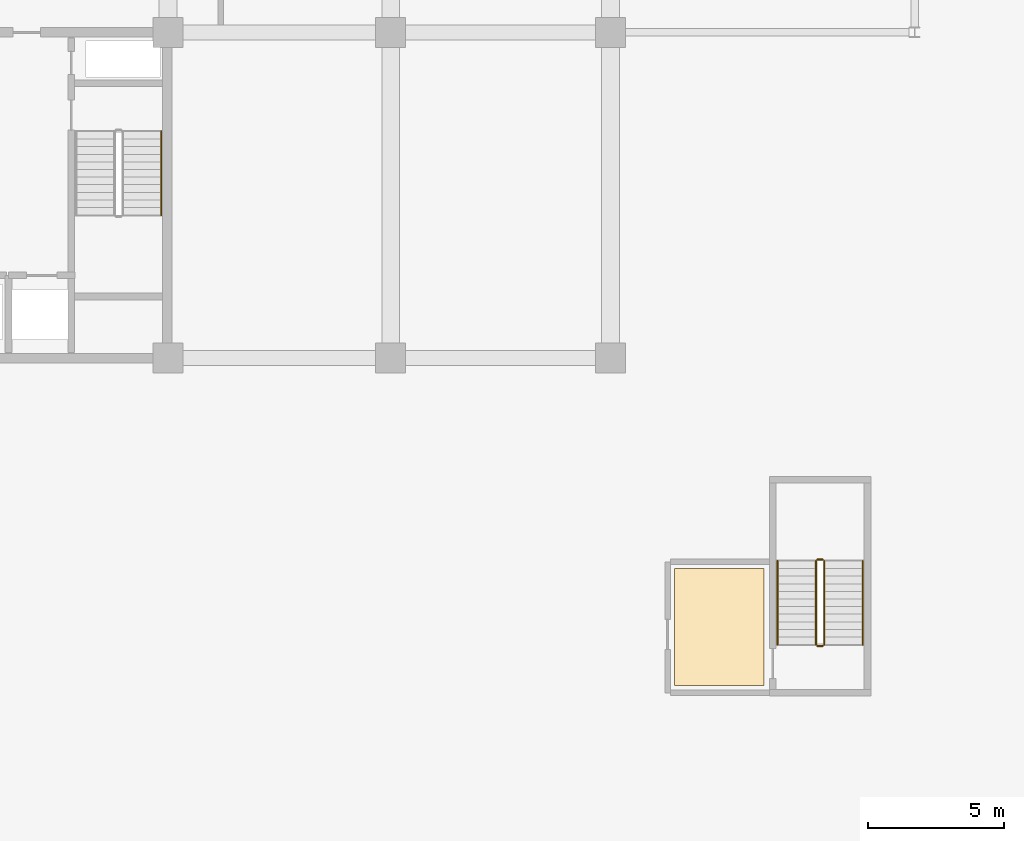
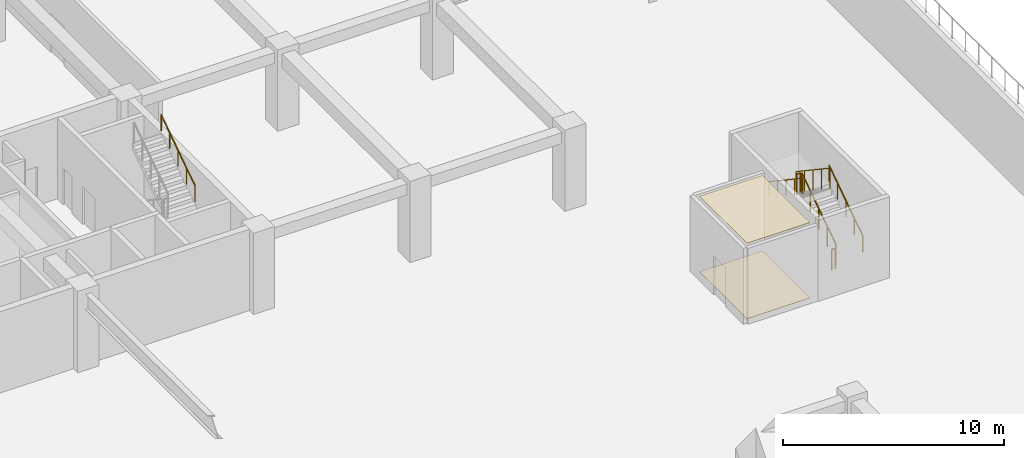
# One storey, part 40 of 43: 7 railings, 2 coverings.
"""IFC4 building model written with IfcOpenShell, lengths in metres."""

from ifc_helpers import new_model, si_unit, direction, frame, origin, origin_2d, place, context, subcontext, project, spatial, polyline, circle, outline, extrude, material, layer, layer_set, type_object, element, save


model = new_model("IFC4")

# Units and contexts
model_context = context("Model", 3, precision=1e-05, world=origin(), true_north=direction((0.0, 1.0)))
body_context = subcontext(model_context, "Body", "Model", "MODEL_VIEW")
ifc_project = project(units=[si_unit("LENGTHUNIT", "METRE"), si_unit("AREAUNIT", "SQUARE_METRE"), si_unit("VOLUMEUNIT", "CUBIC_METRE"), si_unit("PLANEANGLEUNIT", "RADIAN"), si_unit("MASSUNIT", "GRAM", prefix="KILO")], contexts=[model_context])

# Site, building, storey
site_placement = place(None, origin())
site = spatial("IfcSite", under=ifc_project, at=site_placement, CompositionType="ELEMENT")
building_placement = place(site_placement, origin())
building = spatial("IfcBuilding", under=site, at=building_placement, Name="Korimba Cascade Residences", CompositionType="ELEMENT")
storey_placement = place(building_placement, frame((0.0, 0.0, 10.0)))
storey = spatial("IfcBuildingStorey", under=building, at=storey_placement, Name="L02", CompositionType="ELEMENT", Elevation=10.0)

# Coverings
ifc_material_1 = material(Name="Perforated Acoustic Gypsum Ceiling", Category="gypsum")
ifc_layer_1 = layer(ifc_material_1, 0.02490234375)
ifc_layer_set_1 = layer_set([ifc_layer_1], Name="Perforated Acoustic Gypsum Ceiling")
covering_type_1 = type_object("IfcCoveringType", Name="COV-CLG-AC", PredefinedType="CEILING", material=ifc_layer_set_1)
covering_1_placement = place(storey_placement, frame((0.0, 0.0, 4.175048828125)))
element("IfcCovering", 1, at=covering_1_placement, inside=storey, type_object=covering_type_1, Name="L02 Suspended Acoustic Ceiling L02-PLE", PredefinedType="CEILING", context=body_context, shape_type="SweptSolid", body=[
    extrude(outline(polyline([(130.75, 43.14990234375), (134.050048828125, 43.14990234375), (134.050048828125, 47.449951171875), (130.75, 47.449951171875), (130.75, 43.14990234375)])), origin(), (0.0, 0.0, 1.0), 0.02490234375),
])
ifc_material_2 = material(Name="Honed Travertine Stone Flooring", Category="masonry")
ifc_layer_2 = layer(ifc_material_2, 0.02490234375)
ifc_layer_set_2 = layer_set([ifc_layer_2], Name="Honed Travertine Stone Flooring")
covering_type_2 = type_object("IfcCoveringType", Name="COV-FLR-STN", PredefinedType="FLOORING", material=ifc_layer_set_2)
covering_2_placement = place(storey_placement, origin())
element("IfcCovering", 2, at=covering_2_placement, inside=storey, type_object=covering_type_2, Name="L02 Honed Travertine Stone Flooring L02-PLE", PredefinedType="FLOORING", context=body_context, shape_type="SweptSolid", body=[
    extrude(outline(polyline([(130.75, 43.14990234375), (134.050048828125, 43.14990234375), (134.050048828125, 47.449951171875), (130.75, 47.449951171875), (130.75, 43.14990234375)])), origin(), (0.0, 0.0, 1.0), 0.02490234375),
])

# Railings
ifc_material_3 = material(Name="Painted Steel Stairwell Guardrail", Category="steel")
railing_type_1 = type_object("IfcRailingType", Name="RLG-ST-GD1150", PredefinedType="GUARDRAIL", material=ifc_material_3)
railing_1_placement = place(storey_placement, frame((136.27001953125, 44.64990234375, 0.1875)))
element("IfcRailing", 3, at=railing_1_placement, inside=storey, type_object=railing_type_1, Name="L02 ST-P2 stair guard 1", PredefinedType="GUARDRAIL", context=body_context, shape_type="SweptSolid", body=[
    extrude(circle(Radius=0.02392578125, at=origin_2d()), frame((0.0, 0.0, 1.1259765625), z_axis=(0.0, 0.830913701846, 0.55640131208), x_axis=(-1.0, 0.0, 0.0)), (0.0, 0.0, 1.0), 3.706787109375),
    extrude(circle(Radius=0.02099609375, at=origin_2d()), origin(), (0.0, 0.0, 1.0), 1.101806640625),
    extrude(circle(Radius=0.02099609375, at=origin_2d()), frame((0.0, 0.77001953125, 0.515625)), (0.0, 0.0, 1.0), 1.101806640625),
    extrude(circle(Radius=0.02099609375, at=origin_2d()), frame((0.0, 1.5400390625, 1.03125)), (0.0, 0.0, 1.0), 1.101806640625),
    extrude(circle(Radius=0.02099609375, at=origin_2d()), frame((0.0, 2.31005859375, 1.546875)), (0.0, 0.0, 1.0), 1.101806640625),
    extrude(circle(Radius=0.02099609375, at=origin_2d()), frame((0.0, 3.080078125, 2.0625)), (0.0, 0.0, 1.0), 1.101806640625),
])
railing_2_placement = place(storey_placement, frame((136.219970703125, 47.780029296875, 2.25)))
element("IfcRailing", 4, at=railing_2_placement, inside=storey, type_object=railing_type_1, Name="L02 ST-P2 stair guard 2", PredefinedType="GUARDRAIL", context=body_context, shape_type="SweptSolid", body=[
    extrude(circle(Radius=0.02392578125, at=origin_2d()), frame((0.0, 0.0, 1.1259765625), z_axis=(-1.0, 0.0, 0.0), x_axis=(0.0, -1.0, 0.0)), (0.0, 0.0, 1.0), 0.199951171875),
    extrude(circle(Radius=0.02099609375, at=origin_2d()), origin(), (0.0, 0.0, 1.0), 1.101806640625),
    extrude(circle(Radius=0.02099609375, at=origin_2d()), frame((-0.199951171875, 0.0, 0.0)), (0.0, 0.0, 1.0), 1.101806640625),
])
railing_3_placement = place(storey_placement, frame((135.969970703125, 47.72998046875, 2.4375)))
element("IfcRailing", 5, at=railing_3_placement, inside=storey, type_object=railing_type_1, Name="L02 ST-P2 stair guard 3", PredefinedType="GUARDRAIL", context=body_context, shape_type="SweptSolid", body=[
    extrude(circle(Radius=0.02392578125, at=origin_2d()), frame((0.0, 0.0, 1.1259765625), z_axis=(0.0, -0.830913701846, 0.55640131208), x_axis=(1.0, 0.0, 0.0)), (0.0, 0.0, 1.0), 3.706787109375),
    extrude(circle(Radius=0.02099609375, at=origin_2d()), origin(), (0.0, 0.0, 1.0), 1.101806640625),
    extrude(circle(Radius=0.02099609375, at=origin_2d()), frame((0.0, -0.77001953125, 0.515625)), (0.0, 0.0, 1.0), 1.101806640625),
    extrude(circle(Radius=0.02099609375, at=origin_2d()), frame((0.0, -1.5400390625, 1.03125)), (0.0, 0.0, 1.0), 1.101806640625),
    extrude(circle(Radius=0.02099609375, at=origin_2d()), frame((0.0, -2.31005859375, 1.546875)), (0.0, 0.0, 1.0), 1.101806640625),
    extrude(circle(Radius=0.02099609375, at=origin_2d()), frame((0.0, -3.080078125, 2.0625)), (0.0, 0.0, 1.0), 1.101806640625),
])
railing_4_placement = place(storey_placement, frame((136.219970703125, 44.60009765625, 0.0)))
element("IfcRailing", 6, at=railing_4_placement, inside=storey, type_object=railing_type_1, Name="L02 ST-P2 stair guard 4", PredefinedType="GUARDRAIL", context=body_context, shape_type="SweptSolid", body=[
    extrude(circle(Radius=0.02392578125, at=origin_2d()), frame((0.0, 0.0, 1.1259765625), z_axis=(-1.0, 0.0, 0.0), x_axis=(0.0, -1.0, 0.0)), (0.0, 0.0, 1.0), 0.199951171875),
    extrude(circle(Radius=0.02099609375, at=origin_2d()), origin(), (0.0, 0.0, 1.0), 1.101806640625),
    extrude(circle(Radius=0.02099609375, at=origin_2d()), frame((-0.199951171875, 0.0, 0.0)), (0.0, 0.0, 1.0), 1.101806640625),
])
ifc_material_4 = material(Name="Brushed Stainless Steel Handrail", Category="steel")
railing_type_2 = type_object("IfcRailingType", Name="RLG-ST-HR900", PredefinedType="HANDRAIL", material=ifc_material_4)
for number, where, name in (
    (7, (111.85009765625, 60.469970703125, 2.629150390625), "L02 ST-W2 stair handrail 2"),
    (8, (137.68994140625, 44.64990234375, 0.379150390625), "L02 ST-P2 stair handrail 1"),
):
    element("IfcRailing", number, at=place(storey_placement, frame(where)), inside=storey, type_object=railing_type_2, Name=name, PredefinedType="HANDRAIL", context=body_context, shape_type="SweptSolid", body=[
        extrude(circle(Radius=0.02392578125, at=origin_2d()), frame((0.0, 0.0, 0.8759765625), z_axis=(0.0, 0.830913701846, 0.55640131208), x_axis=(-1.0, 0.0, 0.0)), (0.0, 0.0, 1.0), 3.706787109375),
        extrude(circle(Radius=0.02099609375, at=origin_2d()), origin(), (0.0, 0.0, 1.0), 0.851806640625),
        extrude(circle(Radius=0.02099609375, at=origin_2d()), frame((0.0, 0.77001953125, 0.515625)), (0.0, 0.0, 1.0), 0.851806640625),
        extrude(circle(Radius=0.02099609375, at=origin_2d()), frame((0.0, 1.5400390625, 1.03125)), (0.0, 0.0, 1.0), 0.851806640625),
        extrude(circle(Radius=0.02099609375, at=origin_2d()), frame((0.0, 2.31005859375, 1.546875)), (0.0, 0.0, 1.0), 0.851806640625),
        extrude(circle(Radius=0.02099609375, at=origin_2d()), frame((0.0, 3.080078125, 2.0625)), (0.0, 0.0, 1.0), 0.851806640625),
    ])
railing_5_placement = place(storey_placement, frame((134.550048828125, 47.72998046875, 2.629150390625)))
element("IfcRailing", 9, at=railing_5_placement, inside=storey, type_object=railing_type_2, Name="L02 ST-P2 stair handrail 2", PredefinedType="HANDRAIL", context=body_context, shape_type="SweptSolid", body=[
    extrude(circle(Radius=0.02392578125, at=origin_2d()), frame((0.0, 0.0, 0.8759765625), z_axis=(0.0, -0.830913701846, 0.55640131208), x_axis=(1.0, 0.0, 0.0)), (0.0, 0.0, 1.0), 3.706787109375),
    extrude(circle(Radius=0.02099609375, at=origin_2d()), origin(), (0.0, 0.0, 1.0), 0.851806640625),
    extrude(circle(Radius=0.02099609375, at=origin_2d()), frame((0.0, -0.77001953125, 0.515625)), (0.0, 0.0, 1.0), 0.851806640625),
    extrude(circle(Radius=0.02099609375, at=origin_2d()), frame((0.0, -1.5400390625, 1.03125)), (0.0, 0.0, 1.0), 0.851806640625),
    extrude(circle(Radius=0.02099609375, at=origin_2d()), frame((0.0, -2.31005859375, 1.546875)), (0.0, 0.0, 1.0), 0.851806640625),
    extrude(circle(Radius=0.02099609375, at=origin_2d()), frame((0.0, -3.080078125, 2.0625)), (0.0, 0.0, 1.0), 0.851806640625),
])

save(model, "model.ifc")
